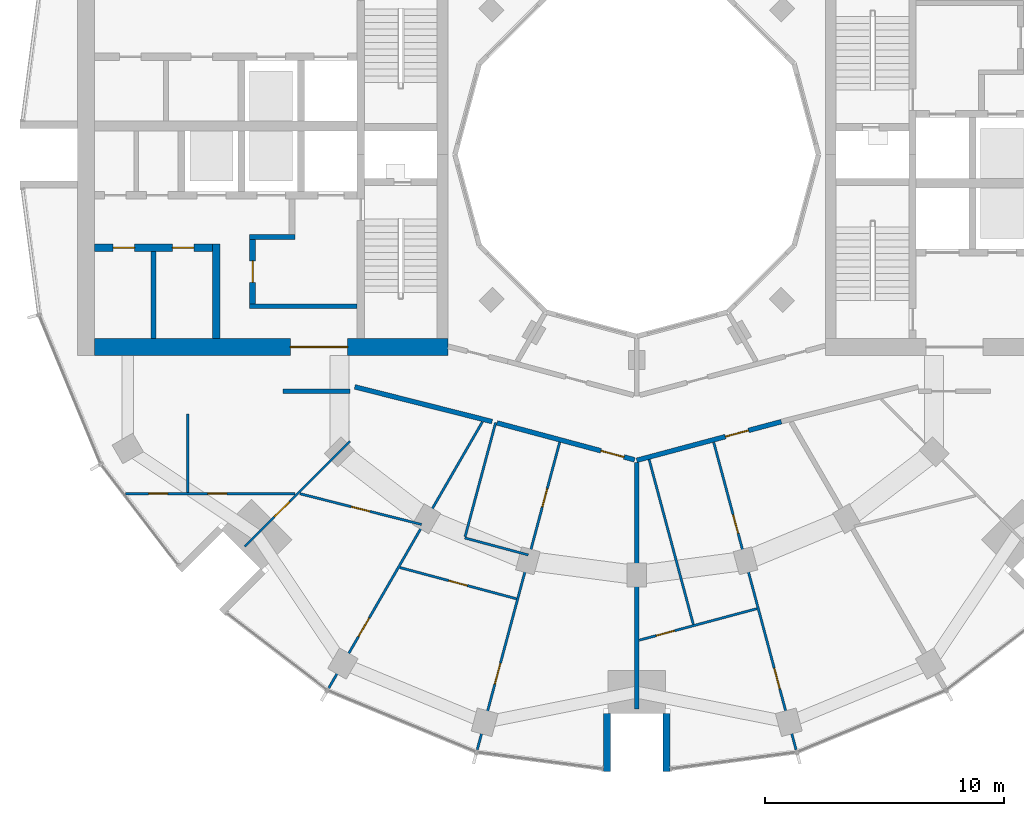
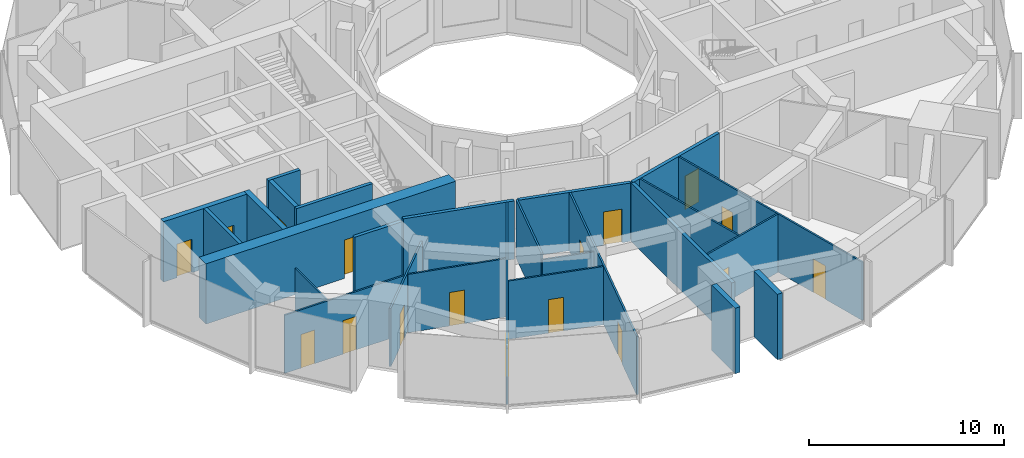
# One storey, part 8 of 15: 26 walls, 17 doors, 17 openings.
"""IFC4 building model written with IfcOpenShell, lengths in metres."""

from ifc_helpers import new_model, si_unit, direction, frame, frame_2d, origin, place, context, subcontext, project, spatial, rectangle, extrude, material, layer, layer_set, type_object, element, fill, save


model = new_model("IFC4")

# Units and contexts
model_context = context("Model", 3, precision=1e-05, world=origin(), true_north=direction((0.0, 1.0)))
body_context = subcontext(model_context, "Body", "Model", "MODEL_VIEW")
ifc_project = project(units=[si_unit("LENGTHUNIT", "METRE"), si_unit("AREAUNIT", "SQUARE_METRE"), si_unit("VOLUMEUNIT", "CUBIC_METRE"), si_unit("PLANEANGLEUNIT", "RADIAN"), si_unit("MASSUNIT", "GRAM", prefix="KILO")], contexts=[model_context])

# Site, building, storey
site_placement = place(None, origin())
site = spatial("IfcSite", under=ifc_project, at=site_placement, CompositionType="ELEMENT")
building_placement = place(site_placement, origin())
building = spatial("IfcBuilding", under=site, at=building_placement, Name="Torre Brocal", CompositionType="ELEMENT")
storey_placement = place(building_placement, frame((0.0, 0.0, 165.89990234375)))
storey = spatial("IfcBuildingStorey", under=building, at=storey_placement, Name="L38", CompositionType="ELEMENT", Elevation=165.89990234375)

# Walls
ifc_material_1 = material(Name="Masonry block", Category="masonry")
ifc_layer_1 = layer(ifc_material_1, 0.199951171875)
ifc_layer_set_1 = layer_set([ifc_layer_1], Name="Masonry block")
wall_type_1 = type_object("IfcWallType", Name="CORE PARTITION 200", PredefinedType="PARTITIONING", material=ifc_layer_set_1)
wall_1_placement = place(storey_placement, frame((59.77490234375, 70.949951171875, 0.0), z_axis=(0.0, 0.0, 1.0), x_axis=(0.0, -1.0, 0.0)))
element("IfcWall", 1, at=wall_1_placement, inside=storey, type_object=wall_type_1, Name="Wall CP200", PredefinedType="PARTITIONING", context=body_context, shape_type="SweptSolid", body=[
    extrude(rectangle(XDim=3.64990234375, YDim=0.199951171875, at=frame_2d((1.824951171875, 0.0))), origin(), (0.0, 0.0, 1.0), 3.780029296875),
])
ifc_material_2 = material(Name="Concrete C70", Category="concrete")
ifc_layer_2 = layer(ifc_material_2, 0.199951171875)
ifc_layer_set_2 = layer_set([ifc_layer_2], Name="Concrete C70")
wall_type_2 = type_object("IfcWallType", Name="CORE WALL 200 C70", PredefinedType="SHEAR", material=ifc_layer_set_2)
wall_2_placement = place(storey_placement, frame((68.300048828125, 68.64990234375, 0.0), z_axis=(0.0, 0.0, 1.0), x_axis=(-1.0, 0.0, 0.0)))
element("IfcWall", 2, at=wall_2_placement, inside=storey, type_object=wall_type_2, Name="Wall CW200-70", PredefinedType="SHEAR", context=body_context, shape_type="SweptSolid", body=[
    extrude(rectangle(XDim=4.5, YDim=0.199951171875, at=frame_2d((2.25, 0.0))), origin(), (0.0, 0.0, 1.0), 3.780029296875),
])
wall_3_placement = place(storey_placement, frame((65.699951171875, 71.550048828125, 0.0), z_axis=(0.0, 0.0, 1.0), x_axis=(-1.0, 0.0, 0.0)))
element("IfcWall", 3, at=wall_3_placement, inside=storey, type_object=wall_type_2, Name="Wall CW200-70", PredefinedType="SHEAR", context=body_context, shape_type="SweptSolid", body=[
    extrude(rectangle(XDim=1.89990234375, YDim=0.199951171875, at=frame_2d((0.949951171875, 0.0))), origin(), (0.0, 0.0, 1.0), 3.780029296875),
])

# Wall, opening, door
ifc_material_3 = material(Name="Concrete C70", Category="concrete")
ifc_layer_3 = layer(ifc_material_3, 0.25)
ifc_layer_set_3 = layer_set([ifc_layer_3], Name="Concrete C70")
wall_type_3 = type_object("IfcWallType", Name="CORE WALL 250 C70", PredefinedType="SHEAR", material=ifc_layer_set_3)
wall_4_placement = place(storey_placement, frame((63.925048828125, 71.449951171875, 0.0), z_axis=(0.0, 0.0, 1.0), x_axis=(0.0, -1.0, 0.0)))
wall_4 = element("IfcWall", 4, at=wall_4_placement, inside=storey, type_object=wall_type_3, Name="Wall CW250-70", PredefinedType="SHEAR", context=body_context, shape_type="SweptSolid", body=[
    extrude(rectangle(XDim=2.699951171875, YDim=0.25, at=frame_2d((1.35009765625, 0.0))), origin(), (0.0, 0.0, 1.0), 3.780029296875),
])
opening_1_placement = place(wall_4_placement, frame((0.89990234375, 0.0, 0.0)))
opening_1 = element("IfcOpeningElement", 5, at=opening_1_placement, cuts=wall_4, Name="Opening W-D08", PredefinedType="OPENING", context=body_context, shape_type="SweptSolid", body=[
    extrude(rectangle(XDim=0.89990234375, YDim=2.10009765625, at=frame_2d((0.449951171875, 1.050048828125))), frame((0.0, 0.135009765625, 0.0), z_axis=(0.0, -1.0, 0.0), x_axis=(1.0, 0.0, 0.0)), (0.0, 0.0, 1.0), 0.27001953125),
])
ifc_material_4 = material(Name="Steel A653", Category="steel")
door_type_1 = type_object("IfcDoorType", Name="LOBBY DOOR FD120 900X2100", OperationType="SINGLE_SWING_RIGHT", PredefinedType="DOOR", material=ifc_material_4)
door_1_placement = place(opening_1_placement, origin())
door_1 = element("IfcDoor", 6, at=door_1_placement, inside=storey, type_object=door_type_1, Name="Door W-D08", OperationType="SINGLE_SWING_LEFT", OverallHeight=2.10009765625, OverallWidth=0.89990234375, PredefinedType="DOOR", context=body_context, shape_type="SweptSolid", body=[
    extrude(rectangle(XDim=0.89990234375, YDim=2.10009765625, at=frame_2d((0.449951171875, 1.050048828125))), frame((0.0, 0.02490234375, 0.0), z_axis=(0.0, -1.0, 0.0), x_axis=(1.0, 0.0, 0.0)), (0.0, 0.0, 1.0), 0.050048828125),
])
fill(opening_1, door_1)

# Wall
ifc_material_5 = material(Name="Concrete C70", Category="concrete")
ifc_layer_4 = layer(ifc_material_5, 0.300048828125)
ifc_layer_set_4 = layer_set([ifc_layer_4], Name="Concrete C70")
wall_type_4 = type_object("IfcWallType", Name="CORE WALL 300 C70", PredefinedType="SHEAR", material=ifc_layer_set_4)
wall_5_placement = place(storey_placement, frame((62.39990234375, 71.25, 0.0), z_axis=(0.0, 0.0, 1.0), x_axis=(0.0, -1.0, 0.0)))
element("IfcWall", 7, at=wall_5_placement, inside=storey, type_object=wall_type_4, Name="Wall CW300-70", PredefinedType="SHEAR", context=body_context, shape_type="SweptSolid", body=[
    extrude(rectangle(XDim=3.949951171875, YDim=0.300048828125, at=frame_2d((1.97509765625, 0.0))), origin(), (0.0, 0.0, 1.0), 3.780029296875),
])

# Wall, openings, doors
wall_6_placement = place(storey_placement, frame((62.25, 71.10009765625, 0.0), z_axis=(0.0, 0.0, 1.0), x_axis=(-1.0, 0.0, 0.0)))
wall_6 = element("IfcWall", 8, at=wall_6_placement, inside=storey, type_object=wall_type_4, Name="Wall CW300-70", PredefinedType="SHEAR", context=body_context, shape_type="SweptSolid", body=[
    extrude(rectangle(XDim=4.949951171875, YDim=0.300048828125, at=frame_2d((2.47509765625, 0.0))), origin(), (0.0, 0.0, 1.0), 3.780029296875),
])
opening_2_placement = place(wall_6_placement, frame((0.78759765625, 0.0, 0.0)))
opening_2 = element("IfcOpeningElement", 9, at=opening_2_placement, cuts=wall_6, Name="Opening W-D09", PredefinedType="OPENING", context=body_context, shape_type="SweptSolid", body=[
    extrude(rectangle(XDim=0.89990234375, YDim=2.10009765625, at=frame_2d((0.449951171875, 1.050048828125))), frame((0.0, 0.159912109375, 0.0), z_axis=(0.0, -1.0, 0.0), x_axis=(1.0, 0.0, 0.0)), (0.0, 0.0, 1.0), 0.320068359375),
])
opening_3_placement = place(wall_6_placement, frame((3.262451171875, 0.0, 0.0)))
opening_3 = element("IfcOpeningElement", 10, at=opening_3_placement, cuts=wall_6, Name="Opening W-D10", PredefinedType="OPENING", context=body_context, shape_type="SweptSolid", body=[
    extrude(rectangle(XDim=0.89990234375, YDim=2.10009765625, at=frame_2d((0.449951171875, 1.050048828125))), frame((0.0, 0.159912109375, 0.0), z_axis=(0.0, -1.0, 0.0), x_axis=(1.0, 0.0, 0.0)), (0.0, 0.0, 1.0), 0.320068359375),
])
ifc_material_6 = material(Name="Steel A653", Category="steel")
door_type_2 = type_object("IfcDoorType", Name="ROOM DOOR FD30S 900X2100", OperationType="SINGLE_SWING_LEFT", PredefinedType="DOOR", material=ifc_material_6)
door_2_placement = place(opening_2_placement, origin())
door_2 = element("IfcDoor", 11, at=door_2_placement, inside=storey, type_object=door_type_2, Name="Door W-D09", OperationType="SINGLE_SWING_RIGHT", OverallHeight=2.10009765625, OverallWidth=0.89990234375, PredefinedType="DOOR", context=body_context, shape_type="SweptSolid", body=[
    extrude(rectangle(XDim=0.89990234375, YDim=2.10009765625, at=frame_2d((0.449951171875, 1.050048828125))), frame((0.0, 0.02490234375, 0.0), z_axis=(0.0, -1.0, 0.0), x_axis=(1.0, 0.0, 0.0)), (0.0, 0.0, 1.0), 0.050048828125),
])
fill(opening_2, door_2)
door_3_placement = place(opening_3_placement, origin())
door_3 = element("IfcDoor", 12, at=door_3_placement, inside=storey, type_object=door_type_2, Name="Door W-D10", OperationType="SINGLE_SWING_LEFT", OverallHeight=2.10009765625, OverallWidth=0.89990234375, PredefinedType="DOOR", context=body_context, shape_type="SweptSolid", body=[
    extrude(rectangle(XDim=0.89990234375, YDim=2.10009765625, at=frame_2d((0.449951171875, 1.050048828125))), frame((0.0, 0.02490234375, 0.0), z_axis=(0.0, -1.0, 0.0), x_axis=(1.0, 0.0, 0.0)), (0.0, 0.0, 1.0), 0.050048828125),
])
fill(opening_3, door_3)

# Wall, opening, door
ifc_material_7 = material(Name="Concrete C70", Category="concrete")
ifc_layer_5 = layer(ifc_material_7, 0.699951171875)
ifc_layer_set_5 = layer_set([ifc_layer_5], Name="Concrete C70")
wall_type_5 = type_object("IfcWallType", Name="CORE WALL 700 C70", PredefinedType="SHEAR", material=ifc_layer_set_5)
wall_7_placement = place(storey_placement, frame((72.10009765625, 66.949951171875, 0.0), z_axis=(0.0, 0.0, 1.0), x_axis=(-1.0, 0.0, 0.0)))
wall_7 = element("IfcWall", 13, at=wall_7_placement, inside=storey, type_object=wall_type_5, Name="Wall CW700-70", PredefinedType="SHEAR", context=body_context, shape_type="SweptSolid", body=[
    extrude(rectangle(XDim=14.800048828125, YDim=0.699951171875, at=frame_2d((7.39990234375, 0.0))), origin(), (0.0, 0.0, 1.0), 3.780029296875),
])
opening_4_placement = place(wall_7_placement, frame((4.199951171875, 0.0, 0.0)))
opening_4 = element("IfcOpeningElement", 14, at=opening_4_placement, cuts=wall_7, Name="Opening W-D34", PredefinedType="OPENING", context=body_context, shape_type="SweptSolid", body=[
    extrude(rectangle(XDim=2.39990234375, YDim=2.39990234375, at=frame_2d((1.199951171875, 1.199951171875))), frame((0.0, 0.35986328125, 0.0), z_axis=(0.0, -1.0, 0.0), x_axis=(1.0, 0.0, 0.0)), (0.0, 0.0, 1.0), 0.719970703125),
])
ifc_material_8 = material(Name="Steel A653", Category="steel")
door_type_3 = type_object("IfcDoorType", Name="DOUBLE FIRE DOOR FD90 2400X2400", OperationType="DOUBLE_DOOR_SINGLE_SWING", PredefinedType="DOOR", material=ifc_material_8)
door_4_placement = place(opening_4_placement, frame((2.39990234375, 0.0, 0.0), z_axis=(0.0, 0.0, 1.0), x_axis=(-1.0, 0.0, 0.0)))
door_4 = element("IfcDoor", 15, at=door_4_placement, inside=storey, type_object=door_type_3, Name="Door W-D34", OperationType="DOUBLE_DOOR_SINGLE_SWING", OverallHeight=2.39990234375, OverallWidth=2.39990234375, PredefinedType="DOOR", context=body_context, shape_type="SweptSolid", body=[
    extrude(rectangle(XDim=2.39990234375, YDim=2.39990234375, at=frame_2d((1.199951171875, 1.199951171875))), frame((0.0, 0.02490234375, 0.0), z_axis=(0.0, -1.0, 0.0), x_axis=(1.0, 0.0, 0.0)), (0.0, 0.0, 1.0), 0.050048828125),
])
fill(opening_4, door_4)

# Walls
ifc_material_9 = material(Name="Concrete C70", Category="concrete")
ifc_layer_6 = layer(ifc_material_9, 0.300048828125)
ifc_layer_set_6 = layer_set([ifc_layer_6], Name="Concrete C70")
wall_type_6 = type_object("IfcWallType", Name="NOTCH RETURN WALL 300 C70", PredefinedType="NOTDEFINED", material=ifc_layer_set_6)
for number, where, z_axis, x_axis, name in (
    (16, (78.75, 51.60009765625, 0.0), (0.0, 0.0, 1.0), (0.0, -1.0, 0.0), "NOTCH RETURN WALL"),
    (17, (81.25, 51.60009765625, 0.0), (0.0, 0.0, 1.0), (0.0, -1.0, 0.0), "NOTCH RETURN WALL"),
):
    element("IfcWall", number, at=place(storey_placement, frame(where, z_axis=z_axis, x_axis=x_axis)), inside=storey, type_object=wall_type_6, Name=name, PredefinedType="NOTDEFINED", context=body_context, shape_type="SweptSolid", body=[
        extrude(rectangle(XDim=2.415771484375, YDim=0.300048828125, at=frame_2d((1.2080078125, 0.0))), origin(), (0.0, 0.0, 1.0), 4.10009765625),
    ])

# Wall, openings, doors
ifc_material_10 = material(Name="Gypsum board", Category="Gypsum")
ifc_layer_7 = layer(ifc_material_10, 0.10009765625)
ifc_layer_set_7 = layer_set([ifc_layer_7], Name="Gypsum board")
wall_type_7 = type_object("IfcWallType", Name="PARTITION 100", PredefinedType="PARTITIONING", material=ifc_layer_set_7)
wall_8_placement = place(storey_placement, frame((58.60009765625, 60.81201171875, 0.0), z_axis=(0.0, 0.0, 1.0), x_axis=(1.0, 0.0, 0.0)))
wall_8 = element("IfcWall", 18, at=wall_8_placement, inside=storey, type_object=wall_type_7, Name="BATHROOM WALL", PredefinedType="PARTITIONING", context=body_context, shape_type="SweptSolid", body=[
    extrude(rectangle(XDim=7.091796875, YDim=0.10009765625, at=frame_2d((3.5458984375, 0.0))), origin(), (0.0, 0.0, 1.0), 3.650146484375),
])
opening_5_placement = place(wall_8_placement, frame((3.446044921875, 0.0, 0.0)))
opening_5 = element("IfcOpeningElement", 19, at=opening_5_placement, cuts=wall_8, Name="Opening R01-D33", PredefinedType="OPENING", context=body_context, shape_type="SweptSolid", body=[
    extrude(rectangle(XDim=0.800048828125, YDim=2.10009765625, at=frame_2d((0.39990234375, 1.050048828125))), frame((0.0, 0.06005859375, 0.0), z_axis=(0.0, -1.0, 0.0), x_axis=(1.0, 0.0, 0.0)), (0.0, 0.0, 1.0), 0.1201171875),
])
opening_6_placement = place(wall_8_placement, frame((0.965087890625, 0.0, 0.0)))
opening_6 = element("IfcOpeningElement", 20, at=opening_6_placement, cuts=wall_8, Name="Opening R01-D34", PredefinedType="OPENING", context=body_context, shape_type="SweptSolid", body=[
    extrude(rectangle(XDim=0.800048828125, YDim=2.10009765625, at=frame_2d((0.39990234375, 1.050048828125))), frame((0.0, 0.06005859375, 0.0), z_axis=(0.0, -1.0, 0.0), x_axis=(1.0, 0.0, 0.0)), (0.0, 0.0, 1.0), 0.1201171875),
])
ifc_material_11 = material(Name="Timber", Category="wood")
door_type_4 = type_object("IfcDoorType", Name="BATHROOM DOOR 800X2100", OperationType="SINGLE_SWING_LEFT", PredefinedType="DOOR", material=ifc_material_11)
door_5_placement = place(opening_5_placement, origin())
door_5 = element("IfcDoor", 21, at=door_5_placement, inside=storey, type_object=door_type_4, Name="R01-D33", OperationType="SINGLE_SWING_LEFT", OverallHeight=2.10009765625, OverallWidth=0.800048828125, PredefinedType="DOOR", context=body_context, shape_type="SweptSolid", body=[
    extrude(rectangle(XDim=0.800048828125, YDim=2.10009765625, at=frame_2d((0.39990234375, 1.050048828125))), frame((0.0, 0.02490234375, 0.0), z_axis=(0.0, -1.0, 0.0), x_axis=(1.0, 0.0, 0.0)), (0.0, 0.0, 1.0), 0.050048828125),
])
fill(opening_5, door_5)
door_6_placement = place(opening_6_placement, frame((0.800048828125, 0.0, 0.0), z_axis=(0.0, 0.0, 1.0), x_axis=(-1.0, 0.0, 0.0)))
door_6 = element("IfcDoor", 22, at=door_6_placement, inside=storey, type_object=door_type_4, Name="R01-D34", OperationType="SINGLE_SWING_RIGHT", OverallHeight=2.10009765625, OverallWidth=0.800048828125, PredefinedType="DOOR", context=body_context, shape_type="SweptSolid", body=[
    extrude(rectangle(XDim=0.800048828125, YDim=2.10009765625, at=frame_2d((0.39990234375, 1.050048828125))), frame((0.0, 0.02490234375, 0.0), z_axis=(0.0, -1.0, 0.0), x_axis=(1.0, 0.0, 0.0)), (0.0, 0.0, 1.0), 0.050048828125),
])
fill(opening_6, door_6)

# Wall
wall_9_placement = place(storey_placement, frame((61.199951171875, 60.862060546875, 0.0), z_axis=(0.0, 0.0, 1.0), x_axis=(0.0, 1.0, 0.0)))
element("IfcWall", 23, at=wall_9_placement, inside=storey, type_object=wall_type_7, Name="BATHROOM WALL", PredefinedType="PARTITIONING", context=body_context, shape_type="SweptSolid", body=[
    extrude(rectangle(XDim=3.282958984375, YDim=0.10009765625, at=frame_2d((1.6416015625, 0.0))), origin(), (0.0, 0.0, 1.0), 3.650146484375),
])

# Wall, opening, door
wall_10_placement = place(storey_placement, frame((63.593017578125, 58.59814453125, 0.0), z_axis=(0.0, 0.0, 1.0), x_axis=(0.707243952197, 0.706969583561, 0.0)))
wall_10 = element("IfcWall", 24, at=wall_10_placement, inside=storey, type_object=wall_type_7, Name="BATHROOM WALL", PredefinedType="PARTITIONING", context=body_context, shape_type="SweptSolid", body=[
    extrude(rectangle(XDim=6.228759765625, YDim=0.10009765625, at=frame_2d((3.1142578125, 0.0))), origin(), (0.0, 0.0, 1.0), 3.650146484375),
])
opening_7_placement = place(wall_10_placement, frame((1.752197265625, 0.0, 0.0)))
opening_7 = element("IfcOpeningElement", 25, at=opening_7_placement, cuts=wall_10, Name="Opening R01-D32", PredefinedType="OPENING", context=body_context, shape_type="SweptSolid", body=[
    extrude(rectangle(XDim=0.89990234375, YDim=2.10009765625, at=frame_2d((0.449951171875, 1.050048828125))), frame((0.0, 0.06005859375, 0.0), z_axis=(0.0, -1.0, 0.0), x_axis=(1.0, 0.0, 0.0)), (0.0, 0.0, 1.0), 0.1201171875),
])
ifc_material_12 = material(Name="Timber", Category="wood")
door_type_5 = type_object("IfcDoorType", Name="ROOM DOOR 900X2100", OperationType="SINGLE_SWING_LEFT", PredefinedType="DOOR", material=ifc_material_12)
door_7_placement = place(opening_7_placement, origin())
door_7 = element("IfcDoor", 26, at=door_7_placement, inside=storey, type_object=door_type_5, Name="R01-D32", OperationType="SINGLE_SWING_LEFT", OverallHeight=2.10009765625, OverallWidth=0.89990234375, PredefinedType="DOOR", context=body_context, shape_type="SweptSolid", body=[
    extrude(rectangle(XDim=0.89990234375, YDim=2.10009765625, at=frame_2d((0.449951171875, 1.050048828125))), frame((0.0, 0.02490234375, 0.0), z_axis=(0.0, -1.0, 0.0), x_axis=(1.0, 0.0, 0.0)), (0.0, 0.0, 1.0), 0.050048828125),
])
fill(opening_7, door_7)

wall_11_placement = place(storey_placement, frame((65.903564453125, 60.806396484375, 0.0), z_axis=(0.0, 0.0, 1.0), x_axis=(0.969477107154, -0.245181848237, 0.0)))
wall_11 = element("IfcWall", 27, at=wall_11_placement, inside=storey, type_object=wall_type_7, Name="BATHROOM WALL", PredefinedType="PARTITIONING", context=body_context, shape_type="SweptSolid", body=[
    extrude(rectangle(XDim=5.251708984375, YDim=0.10009765625, at=frame_2d((2.6259765625, 0.0))), origin(), (0.0, 0.0, 1.0), 3.650146484375),
])
opening_8_placement = place(wall_11_placement, frame((2.2158203125, 0.0, 0.0)))
opening_8 = element("IfcOpeningElement", 28, at=opening_8_placement, cuts=wall_11, Name="Opening R01-D31", PredefinedType="OPENING", context=body_context, shape_type="SweptSolid", body=[
    extrude(rectangle(XDim=0.800048828125, YDim=2.10009765625, at=frame_2d((0.39990234375, 1.050048828125))), frame((0.0, 0.06005859375, 0.0), z_axis=(0.0, -1.0, 0.0), x_axis=(1.0, 0.0, 0.0)), (0.0, 0.0, 1.0), 0.1201171875),
])
door_8_placement = place(opening_8_placement, origin())
door_8 = element("IfcDoor", 29, at=door_8_placement, inside=storey, type_object=door_type_4, Name="R01-D31", OperationType="SINGLE_SWING_LEFT", OverallHeight=2.10009765625, OverallWidth=0.800048828125, PredefinedType="DOOR", context=body_context, shape_type="SweptSolid", body=[
    extrude(rectangle(XDim=0.800048828125, YDim=2.10009765625, at=frame_2d((0.39990234375, 1.050048828125))), frame((0.0, 0.02490234375, 0.0), z_axis=(0.0, -1.0, 0.0), x_axis=(1.0, 0.0, 0.0)), (0.0, 0.0, 1.0), 0.050048828125),
])
fill(opening_8, door_8)

wall_12_placement = place(storey_placement, frame((67.10107421875, 52.65869140625, 0.0), z_axis=(0.0, 0.0, 1.0), x_axis=(0.499985055897, 0.866034031594, 0.0)))
wall_12 = element("IfcWall", 30, at=wall_12_placement, inside=storey, type_object=wall_type_7, Name="BATHROOM WALL", PredefinedType="PARTITIONING", context=body_context, shape_type="SweptSolid", body=[
    extrude(rectangle(XDim=12.87646484375, YDim=0.10009765625, at=frame_2d((6.438232421875, 0.0))), origin(), (0.0, 0.0, 1.0), 3.650146484375),
])
opening_9_placement = place(wall_12_placement, frame((2.504150390625, 0.0, 0.0)))
opening_9 = element("IfcOpeningElement", 31, at=opening_9_placement, cuts=wall_12, Name="Opening R01-D30", PredefinedType="OPENING", context=body_context, shape_type="SweptSolid", body=[
    extrude(rectangle(XDim=0.89990234375, YDim=2.10009765625, at=frame_2d((0.449951171875, 1.050048828125))), frame((0.0, 0.06005859375, 0.0), z_axis=(0.0, -1.0, 0.0), x_axis=(1.0, 0.0, 0.0)), (0.0, 0.0, 1.0), 0.1201171875),
])
door_9_placement = place(opening_9_placement, origin())
door_9 = element("IfcDoor", 32, at=door_9_placement, inside=storey, type_object=door_type_5, Name="R01-D30", OperationType="SINGLE_SWING_LEFT", OverallHeight=2.10009765625, OverallWidth=0.89990234375, PredefinedType="DOOR", context=body_context, shape_type="SweptSolid", body=[
    extrude(rectangle(XDim=0.89990234375, YDim=2.10009765625, at=frame_2d((0.449951171875, 1.050048828125))), frame((0.0, 0.02490234375, 0.0), z_axis=(0.0, -1.0, 0.0), x_axis=(1.0, 0.0, 0.0)), (0.0, 0.0, 1.0), 0.050048828125),
])
fill(opening_9, door_9)

wall_13_placement = place(storey_placement, frame((70.087890625, 57.716552734375, 0.0), z_axis=(0.0, 0.0, 1.0), x_axis=(0.965906836082, -0.258889907124, 0.0)))
wall_13 = element("IfcWall", 33, at=wall_13_placement, inside=storey, type_object=wall_type_7, Name="BATHROOM WALL", PredefinedType="PARTITIONING", context=body_context, shape_type="SweptSolid", body=[
    extrude(rectangle(XDim=5.05078125, YDim=0.10009765625, at=frame_2d((2.525390625, 0.0))), origin(), (0.0, 0.0, 1.0), 3.650146484375),
])
opening_10_placement = place(wall_13_placement, frame((2.12060546875, 0.0, 0.0)))
opening_10 = element("IfcOpeningElement", 34, at=opening_10_placement, cuts=wall_13, Name="Opening R01-D28", PredefinedType="OPENING", context=body_context, shape_type="SweptSolid", body=[
    extrude(rectangle(XDim=0.800048828125, YDim=2.10009765625, at=frame_2d((0.39990234375, 1.050048828125))), frame((0.0, 0.06005859375, 0.0), z_axis=(0.0, -1.0, 0.0), x_axis=(1.0, 0.0, 0.0)), (0.0, 0.0, 1.0), 0.1201171875),
])
door_10_placement = place(opening_10_placement, origin())
door_10 = element("IfcDoor", 35, at=door_10_placement, inside=storey, type_object=door_type_4, Name="R01-D28", OperationType="SINGLE_SWING_LEFT", OverallHeight=2.10009765625, OverallWidth=0.800048828125, PredefinedType="DOOR", context=body_context, shape_type="SweptSolid", body=[
    extrude(rectangle(XDim=0.800048828125, YDim=2.10009765625, at=frame_2d((0.39990234375, 1.050048828125))), frame((0.0, 0.02490234375, 0.0), z_axis=(0.0, -1.0, 0.0), x_axis=(1.0, 0.0, 0.0)), (0.0, 0.0, 1.0), 0.050048828125),
])
fill(opening_10, door_10)

# Wall
wall_14_placement = place(storey_placement, frame((72.81494140625, 59.00439453125, 0.0), z_axis=(0.0, 0.0, 1.0), x_axis=(0.25878292514, 0.96593550388, 0.0)))
element("IfcWall", 36, at=wall_14_placement, inside=storey, type_object=wall_type_7, Name="BATHROOM WALL", PredefinedType="PARTITIONING", context=body_context, shape_type="SweptSolid", body=[
    extrude(rectangle(XDim=4.9501953125, YDim=0.10009765625, at=frame_2d((2.47509765625, 0.0))), origin(), (0.0, 0.0, 1.0), 3.650146484375),
])

# Wall, openings, doors
wall_15_placement = place(storey_placement, frame((73.322021484375, 50.0810546875, 0.0), z_axis=(0.0, 0.0, 1.0), x_axis=(0.258982801816, 0.965881932931, 0.0)))
wall_15 = element("IfcWall", 37, at=wall_15_placement, inside=storey, type_object=wall_type_7, Name="BATHROOM WALL", PredefinedType="PARTITIONING", context=body_context, shape_type="SweptSolid", body=[
    extrude(rectangle(XDim=13.338134765625, YDim=0.10009765625, at=frame_2d((6.6689453125, 0.0))), origin(), (0.0, 0.0, 1.0), 3.650146484375),
])
opening_11_placement = place(wall_15_placement, frame((2.853759765625, 0.0, 0.0)))
opening_11 = element("IfcOpeningElement", 38, at=opening_11_placement, cuts=wall_15, Name="Opening R01-D27", PredefinedType="OPENING", context=body_context, shape_type="SweptSolid", body=[
    extrude(rectangle(XDim=0.89990234375, YDim=2.10009765625, at=frame_2d((0.449951171875, 1.050048828125))), frame((0.0, 0.06005859375, 0.0), z_axis=(0.0, -1.0, 0.0), x_axis=(1.0, 0.0, 0.0)), (0.0, 0.0, 1.0), 0.1201171875),
])
opening_12_placement = place(wall_15_placement, frame((10.5283203125, 0.0, 0.0)))
opening_12 = element("IfcOpeningElement", 39, at=opening_12_placement, cuts=wall_15, Name="Opening R01-D29", PredefinedType="OPENING", context=body_context, shape_type="SweptSolid", body=[
    extrude(rectangle(XDim=0.800048828125, YDim=2.10009765625, at=frame_2d((0.39990234375, 1.050048828125))), frame((0.0, 0.06005859375, 0.0), z_axis=(0.0, -1.0, 0.0), x_axis=(1.0, 0.0, 0.0)), (0.0, 0.0, 1.0), 0.1201171875),
])
door_11_placement = place(opening_12_placement, origin())
door_11 = element("IfcDoor", 40, at=door_11_placement, inside=storey, type_object=door_type_4, Name="R01-D29", OperationType="SINGLE_SWING_LEFT", OverallHeight=2.10009765625, OverallWidth=0.800048828125, PredefinedType="DOOR", context=body_context, shape_type="SweptSolid", body=[
    extrude(rectangle(XDim=0.800048828125, YDim=2.10009765625, at=frame_2d((0.39990234375, 1.050048828125))), frame((0.0, 0.02490234375, 0.0), z_axis=(0.0, -1.0, 0.0), x_axis=(1.0, 0.0, 0.0)), (0.0, 0.0, 1.0), 0.050048828125),
])
fill(opening_12, door_11)
door_12_placement = place(opening_11_placement, origin())
door_12 = element("IfcDoor", 41, at=door_12_placement, inside=storey, type_object=door_type_5, Name="R01-D27", OperationType="SINGLE_SWING_LEFT", OverallHeight=2.10009765625, OverallWidth=0.89990234375, PredefinedType="DOOR", context=body_context, shape_type="SweptSolid", body=[
    extrude(rectangle(XDim=0.89990234375, YDim=2.10009765625, at=frame_2d((0.449951171875, 1.050048828125))), frame((0.0, 0.02490234375, 0.0), z_axis=(0.0, -1.0, 0.0), x_axis=(1.0, 0.0, 0.0)), (0.0, 0.0, 1.0), 0.050048828125),
])
fill(opening_11, door_12)

# Wall, opening, door
wall_16_placement = place(storey_placement, frame((80.106201171875, 54.675537109375, 0.0), z_axis=(0.0, 0.0, 1.0), x_axis=(0.965976901679, 0.258628353863, 0.0)))
wall_16 = element("IfcWall", 42, at=wall_16_placement, inside=storey, type_object=wall_type_7, Name="BATHROOM WALL", PredefinedType="PARTITIONING", context=body_context, shape_type="SweptSolid", body=[
    extrude(rectangle(XDim=5.097412109375, YDim=0.10009765625, at=frame_2d((2.548828125, 0.0))), origin(), (0.0, 0.0, 1.0), 3.650146484375),
])
opening_13_placement = place(wall_16_placement, frame((0.7333984375, 0.0, 0.0)))
opening_13 = element("IfcOpeningElement", 43, at=opening_13_placement, cuts=wall_16, Name="Opening R01-D24", PredefinedType="OPENING", context=body_context, shape_type="SweptSolid", body=[
    extrude(rectangle(XDim=0.800048828125, YDim=2.10009765625, at=frame_2d((0.39990234375, 1.050048828125))), frame((0.0, 0.06005859375, 0.0), z_axis=(0.0, -1.0, 0.0), x_axis=(1.0, 0.0, 0.0)), (0.0, 0.0, 1.0), 0.1201171875),
])
door_13_placement = place(opening_13_placement, origin())
door_13 = element("IfcDoor", 44, at=door_13_placement, inside=storey, type_object=door_type_4, Name="R01-D24", OperationType="SINGLE_SWING_LEFT", OverallHeight=2.10009765625, OverallWidth=0.800048828125, PredefinedType="DOOR", context=body_context, shape_type="SweptSolid", body=[
    extrude(rectangle(XDim=0.800048828125, YDim=2.10009765625, at=frame_2d((0.39990234375, 1.050048828125))), frame((0.0, 0.02490234375, 0.0), z_axis=(0.0, -1.0, 0.0), x_axis=(1.0, 0.0, 0.0)), (0.0, 0.0, 1.0), 0.050048828125),
])
fill(opening_13, door_13)

# Wall
wall_17_placement = place(storey_placement, frame((80.519287109375, 62.2392578125, 0.0), z_axis=(0.0, 0.0, 1.0), x_axis=(0.25878046533, -0.965936162882, 0.0)))
element("IfcWall", 45, at=wall_17_placement, inside=storey, type_object=wall_type_7, Name="BATHROOM WALL", PredefinedType="PARTITIONING", context=body_context, shape_type="SweptSolid", body=[
    extrude(rectangle(XDim=7.1494140625, YDim=0.10009765625, at=frame_2d((3.57470703125, 0.0))), origin(), (0.0, 0.0, 1.0), 3.650146484375),
])

# Wall, openings, doors
wall_18_placement = place(storey_placement, frame((83.22509765625, 62.9541015625, 0.0), z_axis=(0.0, 0.0, 1.0), x_axis=(0.258715941946, -0.965953446799, 0.0)))
wall_18 = element("IfcWall", 46, at=wall_18_placement, inside=storey, type_object=wall_type_7, Name="BATHROOM WALL", PredefinedType="PARTITIONING", context=body_context, shape_type="SweptSolid", body=[
    extrude(rectangle(XDim=13.328369140625, YDim=0.10009765625, at=frame_2d((6.6640625, 0.0))), origin(), (0.0, 0.0, 1.0), 3.650146484375),
])
opening_14_placement = place(wall_18_placement, frame((9.783935546875, 0.0, 0.0)))
opening_14 = element("IfcOpeningElement", 47, at=opening_14_placement, cuts=wall_18, Name="Opening R01-D23", PredefinedType="OPENING", context=body_context, shape_type="SweptSolid", body=[
    extrude(rectangle(XDim=0.89990234375, YDim=2.10009765625, at=frame_2d((0.449951171875, 1.050048828125))), frame((0.0, 0.06005859375, 0.0), z_axis=(0.0, -1.0, 0.0), x_axis=(1.0, 0.0, 0.0)), (0.0, 0.0, 1.0), 0.1201171875),
])
opening_15_placement = place(wall_18_placement, frame((3.139892578125, 0.0, 0.0)))
opening_15 = element("IfcOpeningElement", 48, at=opening_15_placement, cuts=wall_18, Name="Opening R01-D25", PredefinedType="OPENING", context=body_context, shape_type="SweptSolid", body=[
    extrude(rectangle(XDim=0.800048828125, YDim=2.10009765625, at=frame_2d((0.39990234375, 1.050048828125))), frame((0.0, 0.06005859375, 0.0), z_axis=(0.0, -1.0, 0.0), x_axis=(1.0, 0.0, 0.0)), (0.0, 0.0, 1.0), 0.1201171875),
])
door_14_placement = place(opening_15_placement, frame((0.800048828125, 0.0, 0.0), z_axis=(0.0, 0.0, 1.0), x_axis=(-1.0, 0.0, 0.0)))
door_14 = element("IfcDoor", 49, at=door_14_placement, inside=storey, type_object=door_type_4, Name="R01-D25", OperationType="SINGLE_SWING_RIGHT", OverallHeight=2.10009765625, OverallWidth=0.800048828125, PredefinedType="DOOR", context=body_context, shape_type="SweptSolid", body=[
    extrude(rectangle(XDim=0.800048828125, YDim=2.10009765625, at=frame_2d((0.39990234375, 1.050048828125))), frame((0.0, 0.02490234375, 0.0), z_axis=(0.0, -1.0, 0.0), x_axis=(1.0, 0.0, 0.0)), (0.0, 0.0, 1.0), 0.050048828125),
])
fill(opening_15, door_14)
door_15_placement = place(opening_14_placement, frame((0.89990234375, 0.0, 0.0), z_axis=(0.0, 0.0, 1.0), x_axis=(-1.0, 0.0, 0.0)))
door_15 = element("IfcDoor", 50, at=door_15_placement, inside=storey, type_object=door_type_5, Name="R01-D23", OperationType="SINGLE_SWING_LEFT", OverallHeight=2.10009765625, OverallWidth=0.89990234375, PredefinedType="DOOR", context=body_context, shape_type="SweptSolid", body=[
    extrude(rectangle(XDim=0.89990234375, YDim=2.10009765625, at=frame_2d((0.449951171875, 1.050048828125))), frame((0.0, 0.02490234375, 0.0), z_axis=(0.0, -1.0, 0.0), x_axis=(1.0, 0.0, 0.0)), (0.0, 0.0, 1.0), 0.050048828125),
])
fill(opening_14, door_15)

# Walls
ifc_material_13 = material(Name="Gypsum board", Category="Gypsum")
ifc_layer_8 = layer(ifc_material_13, 0.10009765625)
ifc_layer_set_8 = layer_set([ifc_layer_8], Name="Gypsum board")
wall_type_8 = type_object("IfcWallType", Name="PARTITION 100 UNDER BEAM 820", PredefinedType="PARTITIONING", material=ifc_layer_set_8)
wall_19_placement = place(storey_placement, frame((72.802001953125, 58.9560546875, 0.0), z_axis=(0.0, 0.0, 1.0), x_axis=(0.965887802097, -0.258960911647, 0.0)))
element("IfcWall", 51, at=wall_19_placement, inside=storey, type_object=wall_type_8, Name="BATHROOM WALL", PredefinedType="PARTITIONING", context=body_context, shape_type="SweptSolid", body=[
    extrude(rectangle(XDim=2.75, YDim=0.10009765625, at=frame_2d((1.375, 0.0))), origin(), (0.0, 0.0, 1.0), 3.280029296875),
])
ifc_material_14 = material(Name="Gypsum board", Category="Gypsum")
ifc_layer_9 = layer(ifc_material_14, 0.199951171875)
ifc_layer_set_9 = layer_set([ifc_layer_9], Name="Gypsum board")
wall_type_9 = type_object("IfcWallType", Name="PARTITION 200 EI60", PredefinedType="PARTITIONING", material=ifc_layer_set_9)
wall_20_placement = place(storey_placement, frame((65.199951171875, 65.10009765625, 0.0), z_axis=(0.0, 0.0, 1.0), x_axis=(1.0, 0.0, 0.0)))
element("IfcWall", 52, at=wall_20_placement, inside=storey, type_object=wall_type_9, Name="GUESTROOM CORRIDOR WALL", PredefinedType="PARTITIONING", context=body_context, shape_type="SweptSolid", body=[
    extrude(rectangle(XDim=2.800048828125, YDim=0.199951171875, at=frame_2d((1.39990234375, 0.0))), origin(), (0.0, 0.0, 1.0), 3.650146484375),
])
wall_21_placement = place(storey_placement, frame((68.199951171875, 65.280029296875, 0.0), z_axis=(0.0, 0.0, 1.0), x_axis=(0.969450596516, -0.245286650503, 0.0)))
element("IfcWall", 53, at=wall_21_placement, inside=storey, type_object=wall_type_9, Name="CORRIDOR WALL", PredefinedType="PARTITIONING", context=body_context, shape_type="SweptSolid", body=[
    extrude(rectangle(XDim=5.92822265625, YDim=0.199951171875, at=frame_2d((2.964111328125, 0.0))), origin(), (0.0, 0.0, 1.0), 3.650146484375),
])

# Wall, opening, door
wall_22_placement = place(storey_placement, frame((74.14990234375, 63.771728515625, 0.0), z_axis=(0.0, 0.0, 1.0), x_axis=(0.965807109237, -0.259261697417, 0.0)))
wall_22 = element("IfcWall", 54, at=wall_22_placement, inside=storey, type_object=wall_type_9, Name="FLAT ENTRANCE WALL", PredefinedType="PARTITIONING", context=body_context, shape_type="SweptSolid", body=[
    extrude(rectangle(XDim=5.966552734375, YDim=0.199951171875, at=frame_2d((2.9833984375, 0.0))), origin(), (0.0, 0.0, 1.0), 3.650146484375),
])
opening_16_placement = place(wall_22_placement, frame((4.506591796875, 0.0, 0.0)))
opening_16 = element("IfcOpeningElement", 55, at=opening_16_placement, cuts=wall_22, Name="Opening R01-D26", PredefinedType="OPENING", context=body_context, shape_type="SweptSolid", body=[
    extrude(rectangle(XDim=1.0, YDim=2.10009765625, at=frame_2d((0.5, 1.050048828125))), frame((0.0, 0.10986328125, 0.0), z_axis=(0.0, -1.0, 0.0), x_axis=(1.0, 0.0, 0.0)), (0.0, 0.0, 1.0), 0.219970703125),
])
ifc_material_15 = material(Name="Timber", Category="wood")
door_type_6 = type_object("IfcDoorType", Name="FLAT ENTRY DOOR FD30S 1000X2100", OperationType="SINGLE_SWING_RIGHT", PredefinedType="DOOR", material=ifc_material_15)
door_16_placement = place(opening_16_placement, frame((1.0, 0.0, 0.0), z_axis=(0.0, 0.0, 1.0), x_axis=(-1.0, 0.0, 0.0)))
door_16 = element("IfcDoor", 56, at=door_16_placement, inside=storey, type_object=door_type_6, Name="R01-D26", OperationType="SINGLE_SWING_LEFT", OverallHeight=2.10009765625, OverallWidth=1.0, PredefinedType="DOOR", context=body_context, shape_type="SweptSolid", body=[
    extrude(rectangle(XDim=1.0, YDim=2.10009765625, at=frame_2d((0.5, 1.050048828125))), frame((0.0, 0.02490234375, 0.0), z_axis=(0.0, -1.0, 0.0), x_axis=(1.0, 0.0, 0.0)), (0.0, 0.0, 1.0), 0.050048828125),
])
fill(opening_16, door_16)

# Wall
wall_23_placement = place(storey_placement, frame((80.0, 51.800048828125, 0.0), z_axis=(0.0, 0.0, 1.0), x_axis=(0.0, 1.0, 0.0)))
element("IfcWall", 57, at=wall_23_placement, inside=storey, type_object=wall_type_9, Name="BATHROOM WALL", PredefinedType="PARTITIONING", context=body_context, shape_type="SweptSolid", body=[
    extrude(rectangle(XDim=10.31396484375, YDim=0.199951171875, at=frame_2d((5.156982421875, 0.0))), origin(), (0.0, 0.0, 1.0), 3.650146484375),
])

# Wall, opening, door
wall_24_placement = place(storey_placement, frame((80.0, 62.20458984375, 0.0), z_axis=(0.0, 0.0, 1.0), x_axis=(0.966104192593, 0.258152453124, 0.0)))
wall_24 = element("IfcWall", 58, at=wall_24_placement, inside=storey, type_object=wall_type_9, Name="FLAT ENTRANCE WALL", PredefinedType="PARTITIONING", context=body_context, shape_type="SweptSolid", body=[
    extrude(rectangle(XDim=6.266357421875, YDim=0.199951171875, at=frame_2d((3.13330078125, 0.0))), origin(), (0.0, 0.0, 1.0), 3.650146484375),
])
opening_17_placement = place(wall_24_placement, frame((3.84228515625, 0.0, 0.0)))
opening_17 = element("IfcOpeningElement", 59, at=opening_17_placement, cuts=wall_24, Name="Opening R01-D22", PredefinedType="OPENING", context=body_context, shape_type="SweptSolid", body=[
    extrude(rectangle(XDim=1.0, YDim=2.10009765625, at=frame_2d((0.5, 1.050048828125))), frame((0.0, 0.10986328125, 0.0), z_axis=(0.0, -1.0, 0.0), x_axis=(1.0, 0.0, 0.0)), (0.0, 0.0, 1.0), 0.219970703125),
])
door_17_placement = place(opening_17_placement, frame((1.0, 0.0, 0.0), z_axis=(0.0, 0.0, 1.0), x_axis=(-1.0, 0.0, 0.0)))
door_17 = element("IfcDoor", 60, at=door_17_placement, inside=storey, type_object=door_type_6, Name="R01-D22", OperationType="SINGLE_SWING_RIGHT", OverallHeight=2.10009765625, OverallWidth=1.0, PredefinedType="DOOR", context=body_context, shape_type="SweptSolid", body=[
    extrude(rectangle(XDim=1.0, YDim=2.10009765625, at=frame_2d((0.5, 1.050048828125))), frame((0.0, 0.02490234375, 0.0), z_axis=(0.0, -1.0, 0.0), x_axis=(1.0, 0.0, 0.0)), (0.0, 0.0, 1.0), 0.050048828125),
])
fill(opening_17, door_17)

save(model, "model.ifc")
